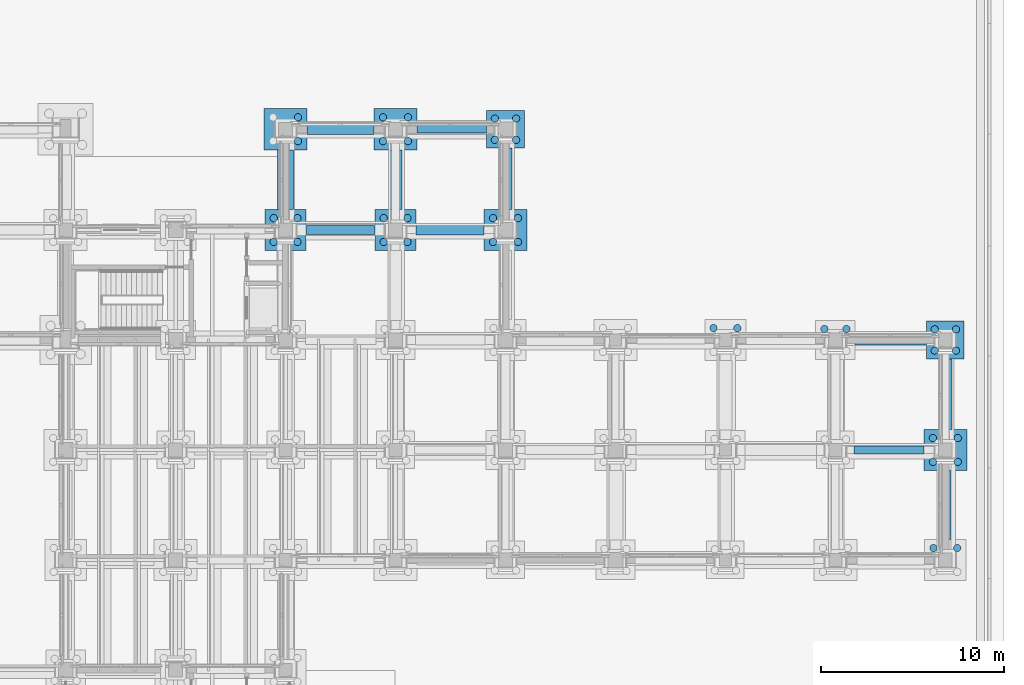
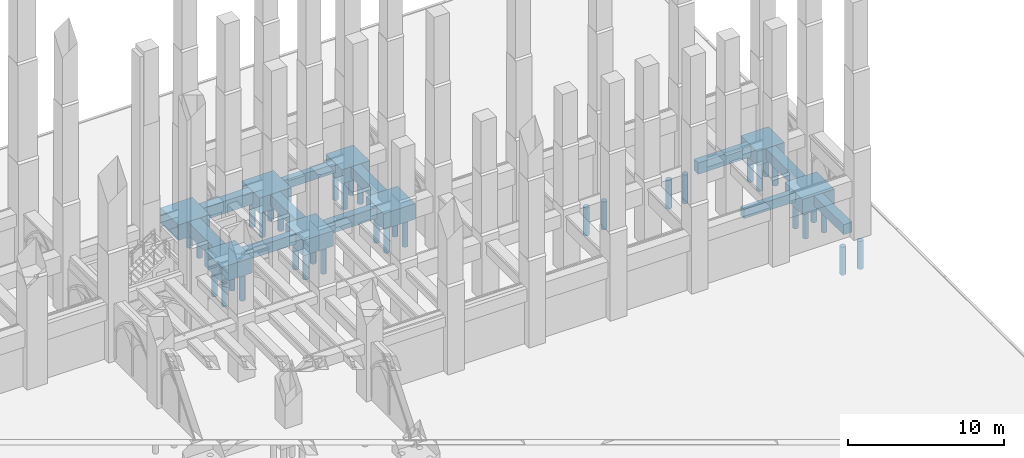
# One storey, part 14 of 135: 36 piles, 19 footings.
"""IFC4 building model written with IfcOpenShell, lengths in metres."""

from ifc_helpers import new_model, si_unit, direction, frame, origin, origin_2d, place, context, subcontext, project, spatial, polyline, rectangle, circle, outline, extrude, material, material_profile, profile_set, type_object, element, save


model = new_model("IFC4")

# Units and contexts
model_context = context("Model", 3, precision=1e-05, world=origin(), true_north=direction((0.0, 1.0)))
body_context = subcontext(model_context, "Body", "Model", "MODEL_VIEW")
ifc_project = project(units=[si_unit("LENGTHUNIT", "METRE"), si_unit("AREAUNIT", "SQUARE_METRE"), si_unit("VOLUMEUNIT", "CUBIC_METRE"), si_unit("PLANEANGLEUNIT", "RADIAN"), si_unit("MASSUNIT", "GRAM", prefix="KILO")], contexts=[model_context])

# Site, building, storey
site_placement = place(None, origin())
site = spatial("IfcSite", under=ifc_project, at=site_placement, CompositionType="ELEMENT")
building_placement = place(site_placement, origin())
building = spatial("IfcBuilding", under=site, at=building_placement, Name="Cumevento Cable Car Station", CompositionType="ELEMENT")
storey_placement = place(building_placement, origin())
storey = spatial("IfcBuildingStorey", under=building, at=storey_placement, Name="L01", CompositionType="ELEMENT", Elevation=0.0)

# Footings
ifc_material_1 = material(Name="Concrete C40/50", Category="concrete")
footing_type_1 = type_object("IfcFootingType", Name="Ground Beam GB-01 420x720", PredefinedType="FOOTING_BEAM", material=ifc_material_1)
footing_1_placement = place(storey_placement, frame((0.0, 0.0, -0.719970703125)))
element("IfcFooting", 1, at=footing_1_placement, inside=storey, type_object=footing_type_1, Name="Ground Tie Beam GB-01 #84", PredefinedType="FOOTING_BEAM", context=body_context, shape_type="SweptSolid", body=[
    extrude(outline(polyline([(161.027099609375, 38.7900390625), (164.822998046875, 38.7900390625), (164.822998046875, 39.2099609375), (161.027099609375, 39.2099609375), (161.027099609375, 38.7900390625)])), origin(), (0.0, 0.0, 1.0), 0.719970703125),
])
footing_2_placement = place(storey_placement, frame((0.0, 0.0, -0.719970703125)))
element("IfcFooting", 2, at=footing_2_placement, inside=storey, type_object=footing_type_1, Name="Ground Tie Beam GB-01 #148", PredefinedType="FOOTING_BEAM", context=body_context, shape_type="SweptSolid", body=[
    extrude(outline(polyline([(137.177001953125, 56.2900390625), (140.972900390625, 56.2900390625), (140.972900390625, 56.7099609375), (137.177001953125, 56.7099609375), (137.177001953125, 56.2900390625)])), origin(), (0.0, 0.0, 1.0), 0.719970703125),
])
ifc_material_2 = material(Name="Concrete C40/50", Category="concrete")
footing_type_2 = type_object("IfcFootingType", Name="Ground Beam GB-02 480x800", PredefinedType="FOOTING_BEAM", material=ifc_material_2)
footing_3_placement = place(storey_placement, frame((0.0, 0.0, -0.800048828125)))
element("IfcFooting", 3, at=footing_3_placement, inside=storey, type_object=footing_type_2, Name="Ground Tie Beam GB-02 #129", PredefinedType="FOOTING_BEAM", context=body_context, shape_type="SweptSolid", body=[
    extrude(outline(polyline([(131.126953125, 50.760009765625), (134.873046875, 50.760009765625), (134.873046875, 51.239990234375), (131.126953125, 51.239990234375), (131.126953125, 50.760009765625)])), origin(), (0.0, 0.0, 1.0), 0.800048828125),
])
ifc_material_3 = material(Name="Concrete C40/50", Category="concrete")
footing_type_3 = type_object("IfcFootingType", Name="Ground Beam GB-03 540x880", PredefinedType="FOOTING_BEAM", material=ifc_material_3)
footing_4_placement = place(storey_placement, frame((0.0, 0.0, -0.8798828125)))
element("IfcFooting", 4, at=footing_4_placement, inside=storey, type_object=footing_type_3, Name="Ground Tie Beam GB-03 #110", PredefinedType="FOOTING_BEAM", context=body_context, shape_type="SweptSolid", body=[
    extrude(outline(polyline([(161.076904296875, 44.72998046875), (164.972900390625, 44.72998046875), (164.972900390625, 45.27001953125), (161.076904296875, 45.27001953125), (161.076904296875, 44.72998046875)])), origin(), (0.0, 0.0, 1.0), 0.8798828125),
])
footing_5_placement = place(storey_placement, frame((0.0, 0.0, -0.8798828125)))
element("IfcFooting", 5, at=footing_5_placement, inside=storey, type_object=footing_type_3, Name="Ground Tie Beam GB-03 #130", PredefinedType="FOOTING_BEAM", context=body_context, shape_type="SweptSolid", body=[
    extrude(outline(polyline([(137.126953125, 50.72998046875), (140.822998046875, 50.72998046875), (140.822998046875, 51.27001953125), (137.126953125, 51.27001953125), (137.126953125, 50.72998046875)])), origin(), (0.0, 0.0, 1.0), 0.8798828125),
])
ifc_material_4 = material(Name="Concrete C40/50", Category="concrete")
footing_type_4 = type_object("IfcFootingType", Name="Ground Beam GB-04 600x960", PredefinedType="FOOTING_BEAM", material=ifc_material_4)
footing_6_placement = place(storey_placement, frame((0.0, 0.0, -0.9599609375)))
element("IfcFooting", 6, at=footing_6_placement, inside=storey, type_object=footing_type_4, Name="Ground Tie Beam GB-04 #147", PredefinedType="FOOTING_BEAM", context=body_context, shape_type="SweptSolid", body=[
    extrude(outline(polyline([(131.177001953125, 56.199951171875), (134.822998046875, 56.199951171875), (134.822998046875, 56.800048828125), (131.177001953125, 56.800048828125), (131.177001953125, 56.199951171875)])), origin(), (0.0, 0.0, 1.0), 0.9599609375),
])

# Piles
ifc_material_5 = material(Name="Concrete C40/50", Category="concrete")
ifc_material_profile = material_profile(ifc_material_5, circle(Radius=0.199951171875, at=origin_2d()), Name="PILE-D400")
ifc_profile_set = profile_set([ifc_material_profile], Name="Concrete C40/50")
pile_type = type_object("IfcPileType", Name="PILE-BORED-400", PredefinedType="BORED", material=ifc_profile_set)
for number, where, z_axis, x_axis, name in (
    (7, (129.35009765625, 50.35009765625, -1.199951171875), (0.0, 0.0, -1.0), (1.0, 0.0, 0.0), "Bored Pile PL-400 #519"),
    (8, (130.64990234375, 50.35009765625, -1.199951171875), (0.0, 0.0, -1.0), (1.0, 0.0, 0.0), "Bored Pile PL-400 #520"),
    (9, (129.35009765625, 51.64990234375, -1.199951171875), (0.0, 0.0, -1.0), (1.0, 0.0, 0.0), "Bored Pile PL-400 #521"),
    (10, (130.64990234375, 51.64990234375, -1.199951171875), (0.0, 0.0, -1.0), (1.0, 0.0, 0.0), "Bored Pile PL-400 #522"),
):
    element("IfcPile", number, at=place(storey_placement, frame(where, z_axis=z_axis, x_axis=x_axis)), inside=storey, type_object=pile_type, Name=name, PredefinedType="BORED", context=body_context, shape_type="SweptSolid", body=[
        extrude(circle(Radius=0.199951171875, at=origin_2d()), origin(), (0.0, 0.0, 1.0), 2.199951171875),
    ])
for number, where, z_axis, x_axis, name in (
    (11, (130.679931640625, 55.85009765625, -1.219970703125), (0.0, 0.0, -1.0), (1.0, 0.0, 0.0), "Bored Pile PL-400 #524"),
    (12, (130.679931640625, 57.14990234375, -1.219970703125), (0.0, 0.0, -1.0), (1.0, 0.0, 0.0), "Bored Pile PL-400 #526"),
):
    element("IfcPile", number, at=place(storey_placement, frame(where, z_axis=z_axis, x_axis=x_axis)), inside=storey, type_object=pile_type, Name=name, PredefinedType="BORED", context=body_context, shape_type="SweptSolid", body=[
        extrude(circle(Radius=0.199951171875, at=origin_2d()), origin(), (0.0, 0.0, 1.0), 2.179931640625),
    ])
for number, where, z_axis, x_axis, name in (
    (13, (135.35009765625, 50.35009765625, -1.199951171875), (0.0, 0.0, -1.0), (1.0, 0.0, 0.0), "Bored Pile PL-400 #545"),
    (14, (136.64990234375, 50.35009765625, -1.199951171875), (0.0, 0.0, -1.0), (1.0, 0.0, 0.0), "Bored Pile PL-400 #546"),
    (15, (135.35009765625, 51.64990234375, -1.199951171875), (0.0, 0.0, -1.0), (1.0, 0.0, 0.0), "Bored Pile PL-400 #547"),
    (16, (136.64990234375, 51.64990234375, -1.199951171875), (0.0, 0.0, -1.0), (1.0, 0.0, 0.0), "Bored Pile PL-400 #548"),
):
    element("IfcPile", number, at=place(storey_placement, frame(where, z_axis=z_axis, x_axis=x_axis)), inside=storey, type_object=pile_type, Name=name, PredefinedType="BORED", context=body_context, shape_type="SweptSolid", body=[
        extrude(circle(Radius=0.199951171875, at=origin_2d()), origin(), (0.0, 0.0, 1.0), 2.199951171875),
    ])
for number, where, z_axis, x_axis, name in (
    (17, (135.320068359375, 55.85009765625, -1.219970703125), (0.0, 0.0, -1.0), (1.0, 0.0, 0.0), "Bored Pile PL-400 #549"),
    (18, (136.679931640625, 55.85009765625, -1.219970703125), (0.0, 0.0, -1.0), (1.0, 0.0, 0.0), "Bored Pile PL-400 #550"),
    (19, (135.320068359375, 57.14990234375, -1.219970703125), (0.0, 0.0, -1.0), (1.0, 0.0, 0.0), "Bored Pile PL-400 #551"),
    (20, (136.679931640625, 57.14990234375, -1.219970703125), (0.0, 0.0, -1.0), (1.0, 0.0, 0.0), "Bored Pile PL-400 #552"),
    (21, (141.320068359375, 50.35009765625, -1.219970703125), (0.0, 0.0, -1.0), (1.0, 0.0, 0.0), "Bored Pile PL-400 #565"),
    (22, (142.679931640625, 50.35009765625, -1.219970703125), (0.0, 0.0, -1.0), (1.0, 0.0, 0.0), "Bored Pile PL-400 #566"),
    (23, (141.320068359375, 51.64990234375, -1.219970703125), (0.0, 0.0, -1.0), (1.0, 0.0, 0.0), "Bored Pile PL-400 #567"),
    (24, (142.679931640625, 51.64990234375, -1.219970703125), (0.0, 0.0, -1.0), (1.0, 0.0, 0.0), "Bored Pile PL-400 #568"),
):
    element("IfcPile", number, at=place(storey_placement, frame(where, z_axis=z_axis, x_axis=x_axis)), inside=storey, type_object=pile_type, Name=name, PredefinedType="BORED", context=body_context, shape_type="SweptSolid", body=[
        extrude(circle(Radius=0.199951171875, at=origin_2d()), origin(), (0.0, 0.0, 1.0), 2.179931640625),
    ])
for number, where, z_axis, x_axis, name in (
    (25, (141.419921875, 55.919921875, -1.10009765625), (0.0, 0.0, -1.0), (1.0, 0.0, 0.0), "Bored Pile PL-400 #569"),
    (26, (142.580078125, 55.919921875, -1.10009765625), (0.0, 0.0, -1.0), (1.0, 0.0, 0.0), "Bored Pile PL-400 #570"),
    (27, (141.419921875, 57.080078125, -1.10009765625), (0.0, 0.0, -1.0), (1.0, 0.0, 0.0), "Bored Pile PL-400 #571"),
    (28, (142.580078125, 57.080078125, -1.10009765625), (0.0, 0.0, -1.0), (1.0, 0.0, 0.0), "Bored Pile PL-400 #572"),
):
    element("IfcPile", number, at=place(storey_placement, frame(where, z_axis=z_axis, x_axis=x_axis)), inside=storey, type_object=pile_type, Name=name, PredefinedType="BORED", context=body_context, shape_type="SweptSolid", body=[
        extrude(circle(Radius=0.199951171875, at=origin_2d()), origin(), (0.0, 0.0, 1.0), 2.300048828125),
    ])
for number, where, z_axis, x_axis, name in (
    (29, (153.35009765625, 45.64990234375, -1.199951171875), (0.0, 0.0, -1.0), (1.0, 0.0, 0.0), "Bored Pile PL-400 #595"),
    (30, (154.64990234375, 45.64990234375, -1.199951171875), (0.0, 0.0, -1.0), (1.0, 0.0, 0.0), "Bored Pile PL-400 #596"),
):
    element("IfcPile", number, at=place(storey_placement, frame(where, z_axis=z_axis, x_axis=x_axis)), inside=storey, type_object=pile_type, Name=name, PredefinedType="BORED", context=body_context, shape_type="SweptSolid", body=[
        extrude(circle(Radius=0.199951171875, at=origin_2d()), origin(), (0.0, 0.0, 1.0), 2.199951171875),
    ])
for number, where, z_axis, x_axis, name in (
    (31, (159.39990234375, 45.60009765625, -1.14990234375), (0.0, 0.0, -1.0), (1.0, 0.0, 0.0), "Bored Pile PL-400 #607"),
    (32, (160.60009765625, 45.60009765625, -1.14990234375), (0.0, 0.0, -1.0), (1.0, 0.0, 0.0), "Bored Pile PL-400 #608"),
):
    element("IfcPile", number, at=place(storey_placement, frame(where, z_axis=z_axis, x_axis=x_axis)), inside=storey, type_object=pile_type, Name=name, PredefinedType="BORED", context=body_context, shape_type="SweptSolid", body=[
        extrude(circle(Radius=0.199951171875, at=origin_2d()), origin(), (0.0, 0.0, 1.0), 2.25),
    ])
for number, where, z_axis, x_axis, name in (
    (33, (165.35009765625, 33.64990234375, -1.199951171875), (0.0, 0.0, -1.0), (1.0, 0.0, 0.0), "Bored Pile PL-400 #611"),
    (34, (166.64990234375, 33.64990234375, -1.199951171875), (0.0, 0.0, -1.0), (1.0, 0.0, 0.0), "Bored Pile PL-400 #612"),
):
    element("IfcPile", number, at=place(storey_placement, frame(where, z_axis=z_axis, x_axis=x_axis)), inside=storey, type_object=pile_type, Name=name, PredefinedType="BORED", context=body_context, shape_type="SweptSolid", body=[
        extrude(circle(Radius=0.199951171875, at=origin_2d()), origin(), (0.0, 0.0, 1.0), 2.199951171875),
    ])
for number, where, z_axis, x_axis, name in (
    (35, (165.320068359375, 38.35009765625, -1.219970703125), (0.0, 0.0, -1.0), (1.0, 0.0, 0.0), "Bored Pile PL-400 #613"),
    (36, (166.679931640625, 38.35009765625, -1.219970703125), (0.0, 0.0, -1.0), (1.0, 0.0, 0.0), "Bored Pile PL-400 #614"),
    (37, (165.320068359375, 39.64990234375, -1.219970703125), (0.0, 0.0, -1.0), (1.0, 0.0, 0.0), "Bored Pile PL-400 #615"),
    (38, (166.679931640625, 39.64990234375, -1.219970703125), (0.0, 0.0, -1.0), (1.0, 0.0, 0.0), "Bored Pile PL-400 #616"),
):
    element("IfcPile", number, at=place(storey_placement, frame(where, z_axis=z_axis, x_axis=x_axis)), inside=storey, type_object=pile_type, Name=name, PredefinedType="BORED", context=body_context, shape_type="SweptSolid", body=[
        extrude(circle(Radius=0.199951171875, at=origin_2d()), origin(), (0.0, 0.0, 1.0), 2.179931640625),
    ])
for number, where, z_axis, x_axis, name in (
    (39, (165.419921875, 44.419921875, -1.10009765625), (0.0, 0.0, -1.0), (1.0, 0.0, 0.0), "Bored Pile PL-400 #617"),
    (40, (166.580078125, 44.419921875, -1.10009765625), (0.0, 0.0, -1.0), (1.0, 0.0, 0.0), "Bored Pile PL-400 #618"),
    (41, (165.419921875, 45.580078125, -1.10009765625), (0.0, 0.0, -1.0), (1.0, 0.0, 0.0), "Bored Pile PL-400 #619"),
    (42, (166.580078125, 45.580078125, -1.10009765625), (0.0, 0.0, -1.0), (1.0, 0.0, 0.0), "Bored Pile PL-400 #620"),
):
    element("IfcPile", number, at=place(storey_placement, frame(where, z_axis=z_axis, x_axis=x_axis)), inside=storey, type_object=pile_type, Name=name, PredefinedType="BORED", context=body_context, shape_type="SweptSolid", body=[
        extrude(circle(Radius=0.199951171875, at=origin_2d()), origin(), (0.0, 0.0, 1.0), 2.300048828125),
    ])

# Footings
ifc_material_6 = material(Name="Concrete C40/50", Category="concrete")
footing_type_5 = type_object("IfcFootingType", Name="Pile Cap PC-05 2050x2050x1100", PredefinedType="PILE_CAP", material=ifc_material_6)
for number, where, z_axis, x_axis, name in (
    (43, (142.0, 56.5, -1.10009765625), (0.0, 0.0, 1.0), (1.0, 0.0, 0.0), "Pile Cap PC-05 at (142.0,56.5)"),
    (44, (166.0, 45.0, -1.10009765625), (0.0, 0.0, 1.0), (1.0, 0.0, 0.0), "Pile Cap PC-05 at (166.0,45.0)"),
):
    element("IfcFooting", number, at=place(storey_placement, frame(where, z_axis=z_axis, x_axis=x_axis)), inside=storey, type_object=footing_type_5, Name=name, PredefinedType="PILE_CAP", context=body_context, shape_type="SweptSolid", body=[
        extrude(rectangle(XDim=2.050048828125, YDim=2.050048828125, at=origin_2d()), origin(), (0.0, 0.0, 1.0), 1.10009765625),
    ])
ifc_material_7 = material(Name="Concrete C40/50", Category="concrete")
footing_type_6 = type_object("IfcFootingType", Name="Pile Cap PC-07 2250x2250x1200", PredefinedType="PILE_CAP", material=ifc_material_7)
for number, where, z_axis, x_axis, name in (
    (45, (130.0, 51.0, -1.2001953125), (0.0, 0.0, 1.0), (1.0, 0.0, 0.0), "Pile Cap PC-07 at (130.0,51.0)"),
    (46, (136.0, 51.0, -1.2001953125), (0.0, 0.0, 1.0), (1.0, 0.0, 0.0), "Pile Cap PC-07 at (136.0,51.0)"),
):
    element("IfcFooting", number, at=place(storey_placement, frame(where, z_axis=z_axis, x_axis=x_axis)), inside=storey, type_object=footing_type_6, Name=name, PredefinedType="PILE_CAP", context=body_context, shape_type="SweptSolid", body=[
        extrude(rectangle(XDim=2.25, YDim=2.25, at=origin_2d()), origin(), (0.0, 0.0, 1.0), 1.199951171875),
    ])
ifc_material_8 = material(Name="Concrete C40/50", Category="concrete")
footing_type_7 = type_object("IfcFootingType", Name="Pile Cap PC-08 2350x2250x1220", PredefinedType="PILE_CAP", material=ifc_material_8)
for number, where, z_axis, x_axis, name in (
    (47, (130.0, 56.5, -1.22021484375), (0.0, 0.0, 1.0), (1.0, 0.0, 0.0), "Pile Cap PC-08 at (130.0,56.5)"),
    (48, (136.0, 56.5, -1.22021484375), (0.0, 0.0, 1.0), (1.0, 0.0, 0.0), "Pile Cap PC-08 at (136.0,56.5)"),
    (49, (142.0, 51.0, -1.22021484375), (0.0, 0.0, 1.0), (1.0, 0.0, 0.0), "Pile Cap PC-08 at (142.0,51.0)"),
    (50, (166.0, 39.0, -1.22021484375), (0.0, 0.0, 1.0), (1.0, 0.0, 0.0), "Pile Cap PC-08 at (166.0,39.0)"),
):
    element("IfcFooting", number, at=place(storey_placement, frame(where, z_axis=z_axis, x_axis=x_axis)), inside=storey, type_object=footing_type_7, Name=name, PredefinedType="PILE_CAP", context=body_context, shape_type="SweptSolid", body=[
        extrude(rectangle(XDim=2.35009765625, YDim=2.25, at=origin_2d()), origin(), (0.0, 0.0, 1.0), 1.219970703125),
    ])
ifc_material_9 = material(Name="Concrete C40/50", Category="concrete")
footing_type_8 = type_object("IfcFootingType", Name="Strip Footing SF-01 640x780", PredefinedType="STRIP_FOOTING", material=ifc_material_9)
footing_7_placement = place(storey_placement, frame((0.0, 0.0, -0.780029296875)))
element("IfcFooting", 51, at=footing_7_placement, inside=storey, type_object=footing_type_8, Name="Strip Footing SF-01 #304", PredefinedType="STRIP_FOOTING", context=body_context, shape_type="SweptSolid", body=[
    extrude(outline(polyline([(165.679931640625, 34.126953125), (166.320068359375, 34.126953125), (166.320068359375, 37.873046875), (165.679931640625, 37.873046875), (165.679931640625, 34.126953125)])), origin(), (0.0, 0.0, 1.0), 0.780029296875),
])
ifc_material_10 = material(Name="Concrete C40/50", Category="concrete")
footing_type_9 = type_object("IfcFootingType", Name="Strip Footing SF-02 720x860", PredefinedType="STRIP_FOOTING", material=ifc_material_10)
footing_8_placement = place(storey_placement, frame((0.0, 0.0, -0.860107421875)))
element("IfcFooting", 52, at=footing_8_placement, inside=storey, type_object=footing_type_9, Name="Strip Footing SF-02 #293", PredefinedType="STRIP_FOOTING", context=body_context, shape_type="SweptSolid", body=[
    extrude(outline(polyline([(135.639892578125, 52.126953125), (136.360107421875, 52.126953125), (136.360107421875, 55.373046875), (135.639892578125, 55.373046875), (135.639892578125, 52.126953125)])), origin(), (0.0, 0.0, 1.0), 0.860107421875),
])
footing_9_placement = place(storey_placement, frame((0.0, 0.0, -0.860107421875)))
element("IfcFooting", 53, at=footing_9_placement, inside=storey, type_object=footing_type_9, Name="Strip Footing SF-02 #297", PredefinedType="STRIP_FOOTING", context=body_context, shape_type="SweptSolid", body=[
    extrude(outline(polyline([(141.639892578125, 52.126953125), (142.360107421875, 52.126953125), (142.360107421875, 55.472900390625), (141.639892578125, 55.472900390625), (141.639892578125, 52.126953125)])), origin(), (0.0, 0.0, 1.0), 0.860107421875),
])
footing_10_placement = place(storey_placement, frame((0.0, 0.0, -0.860107421875)))
element("IfcFooting", 54, at=footing_10_placement, inside=storey, type_object=footing_type_9, Name="Strip Footing SF-02 #305", PredefinedType="STRIP_FOOTING", context=body_context, shape_type="SweptSolid", body=[
    extrude(outline(polyline([(165.639892578125, 40.126953125), (166.360107421875, 40.126953125), (166.360107421875, 43.972900390625), (165.639892578125, 43.972900390625), (165.639892578125, 40.126953125)])), origin(), (0.0, 0.0, 1.0), 0.860107421875),
])
ifc_material_11 = material(Name="Concrete C40/50", Category="concrete")
footing_type_10 = type_object("IfcFootingType", Name="Strip Footing SF-04 880x1020", PredefinedType="STRIP_FOOTING", material=ifc_material_11)
footing_11_placement = place(storey_placement, frame((0.0, 0.0, -1.02001953125)))
element("IfcFooting", 55, at=footing_11_placement, inside=storey, type_object=footing_type_10, Name="Strip Footing SF-04 #287", PredefinedType="STRIP_FOOTING", context=body_context, shape_type="SweptSolid", body=[
    extrude(outline(polyline([(129.56005859375, 52.126953125), (130.43994140625, 52.126953125), (130.43994140625, 55.373046875), (129.56005859375, 55.373046875), (129.56005859375, 52.126953125)])), origin(), (0.0, 0.0, 1.0), 1.02001953125),
])

save(model, "model.ifc")
